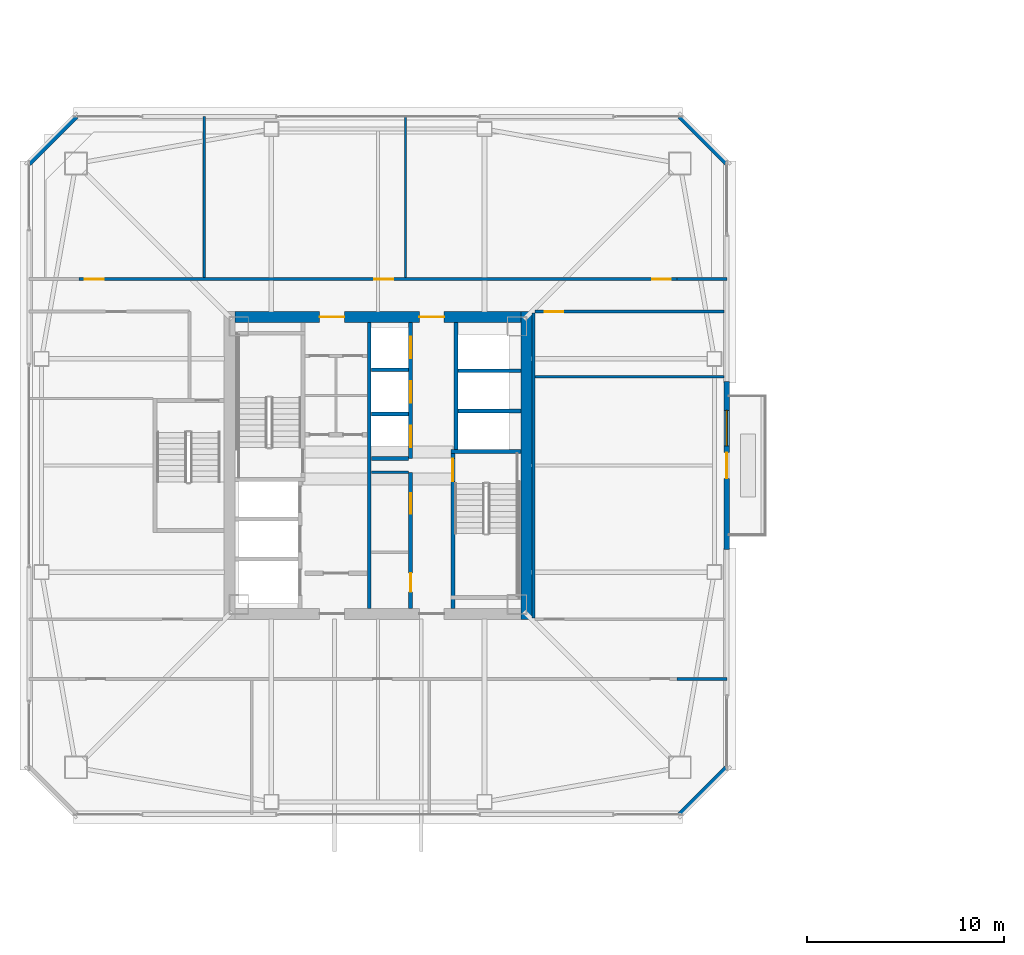
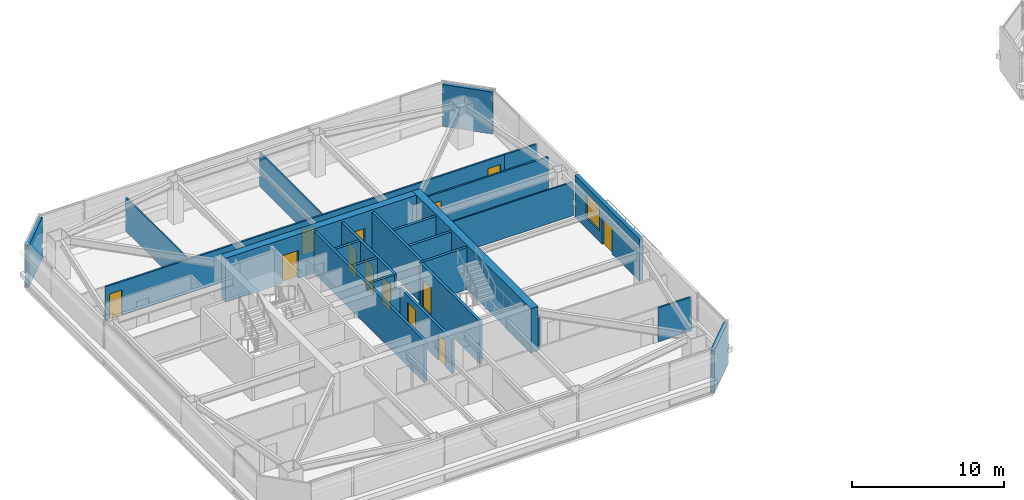
# One storey, part 32 of 41: 26 walls, 13 doors, 1 window, 14 openings.
"""IFC4 building model written with IfcOpenShell, lengths in metres."""

from ifc_helpers import new_model, si_unit, direction, frame, frame_2d, origin, place, context, subcontext, project, spatial, rectangle, extrude, material, layer, layer_set, type_object, element, fill, save


model = new_model("IFC4")

# Units and contexts
model_context = context("Model", 3, precision=1e-05, world=origin(), true_north=direction((0.0, 1.0)))
body_context = subcontext(model_context, "Body", "Model", "MODEL_VIEW")
ifc_project = project(units=[si_unit("LENGTHUNIT", "METRE"), si_unit("AREAUNIT", "SQUARE_METRE"), si_unit("VOLUMEUNIT", "CUBIC_METRE"), si_unit("PLANEANGLEUNIT", "RADIAN"), si_unit("MASSUNIT", "GRAM", prefix="KILO")], contexts=[model_context])

# Site, building, storey
site_placement = place(None, origin())
site = spatial("IfcSite", under=ifc_project, at=site_placement, CompositionType="ELEMENT")
building_placement = place(site_placement, origin())
building = spatial("IfcBuilding", under=site, at=building_placement, Name="Tashvorn Skyway Center", CompositionType="ELEMENT")
storey_placement = place(building_placement, frame((0.0, 0.0, 174.75)))
storey = spatial("IfcBuildingStorey", under=building, at=storey_placement, Name="L47", CompositionType="ELEMENT", Elevation=174.75)

# Wall
ifc_material_1 = material(Name="Concrete C60/75", Category="concrete")
ifc_layer_1 = layer(ifc_material_1, 0.550048828125)
ifc_layer_set_1 = layer_set([ifc_layer_1], Name="Concrete C60/75")
wall_type_1 = type_object("IfcWallType", Name="WALL-CORE-550", PredefinedType="SHEAR", material=ifc_layer_set_1)
wall_1_placement = place(storey_placement, frame((49.52490234375, 39.800048828125, 0.0), z_axis=(0.0, 0.0, 1.0), x_axis=(0.0, -1.0, 0.0)))
element("IfcWall", 1, at=wall_1_placement, inside=storey, type_object=wall_type_1, Name="Tower 1 L47 East Core Shear Wall", PredefinedType="SHEAR", context=body_context, shape_type="SweptSolid", body=[
    extrude(rectangle(XDim=15.60009765625, YDim=0.550048828125, at=frame_2d((7.800048828125, 0.0))), origin(), (0.0, 0.0, 1.0), 3.550048828125),
])

# Wall, openings, doors
wall_2_placement = place(storey_placement, frame((34.75, 39.52490234375, 0.0), z_axis=(0.0, 0.0, 1.0), x_axis=(1.0, 0.0, 0.0)))
wall_2 = element("IfcWall", 2, at=wall_2_placement, inside=storey, type_object=wall_type_1, Name="Tower 1 L47 North Core Shear Wall", PredefinedType="SHEAR", context=body_context, shape_type="SweptSolid", body=[
    extrude(rectangle(XDim=14.5, YDim=0.550048828125, at=frame_2d((7.25, 0.0))), origin(), (0.0, 0.0, 1.0), 3.550048828125),
])
opening_1_placement = place(wall_2_placement, frame((4.300048828125, 0.0, 0.0)))
opening_1 = element("IfcOpeningElement", 3, at=opening_1_placement, cuts=wall_2, Name="Opening D-FFL-1250", PredefinedType="OPENING", context=body_context, shape_type="SweptSolid", body=[
    extrude(rectangle(XDim=1.25, YDim=2.25, at=frame_2d((0.625, 1.125))), frame((0.0, 0.284912109375, 0.0), z_axis=(0.0, -1.0, 0.0), x_axis=(1.0, 0.0, 0.0)), (0.0, 0.0, 1.0), 0.570068359375),
])
opening_2_placement = place(wall_2_placement, frame((9.35009765625, 0.0, 0.0)))
opening_2 = element("IfcOpeningElement", 4, at=opening_2_placement, cuts=wall_2, Name="Opening D-FFL-1250", PredefinedType="OPENING", context=body_context, shape_type="SweptSolid", body=[
    extrude(rectangle(XDim=1.25, YDim=2.25, at=frame_2d((0.625, 1.125))), frame((0.0, 0.284912109375, 0.0), z_axis=(0.0, -1.0, 0.0), x_axis=(1.0, 0.0, 0.0)), (0.0, 0.0, 1.0), 0.570068359375),
])
ifc_material_2 = material(Name="Hollow galvanized steel fire door assembly", Category="steel")
door_type_1 = type_object("IfcDoorType", Name="DOOR-FFL-1250", OperationType="NOTDEFINED", PredefinedType="DOOR", material=ifc_material_2)
door_1_placement = place(opening_1_placement, origin())
door_1 = element("IfcDoor", 5, at=door_1_placement, inside=storey, type_object=door_type_1, Name="Tower 1 L47 Core North Service Lobby Door", OperationType="SINGLE_SWING_LEFT", OverallHeight=2.25, OverallWidth=1.25, PredefinedType="DOOR", context=body_context, shape_type="SweptSolid", body=[
    extrude(rectangle(XDim=1.25, YDim=2.25, at=frame_2d((0.625, 1.125))), frame((0.0, 0.02490234375, 0.0), z_axis=(0.0, -1.0, 0.0), x_axis=(1.0, 0.0, 0.0)), (0.0, 0.0, 1.0), 0.050048828125),
])
fill(opening_1, door_1)
door_2_placement = place(opening_2_placement, origin())
door_2 = element("IfcDoor", 6, at=door_2_placement, inside=storey, type_object=door_type_1, Name="Tower 1 L47 Core North Lift Lobby Door", OperationType="SINGLE_SWING_RIGHT", OverallHeight=2.25, OverallWidth=1.25, PredefinedType="DOOR", context=body_context, shape_type="SweptSolid", body=[
    extrude(rectangle(XDim=1.25, YDim=2.25, at=frame_2d((0.625, 1.125))), frame((0.0, 0.02490234375, 0.0), z_axis=(0.0, -1.0, 0.0), x_axis=(1.0, 0.0, 0.0)), (0.0, 0.0, 1.0), 0.050048828125),
])
fill(opening_2, door_2)

# Wall, openings, door, window
ifc_material_3 = material(Name="Precast concrete C40/50", Category="concrete")
ifc_layer_2 = layer(ifc_material_3, 0.280029296875)
ifc_layer_set_2 = layer_set([ifc_layer_2], Name="Precast concrete C40/50")
wall_type_2 = type_object("IfcWallType", Name="WALL-EXT-280", PredefinedType="SOLIDWALL", material=ifc_layer_set_2)
wall_3_placement = place(storey_placement, frame((59.679931640625, 36.25, 0.0), z_axis=(0.0, 0.0, 1.0), x_axis=(0.0, -1.0, 0.0)))
wall_3 = element("IfcWall", 7, at=wall_3_placement, inside=storey, type_object=wall_type_2, Name="Tower 1 L47 East Terrace Portal Wall", PredefinedType="SOLIDWALL", context=body_context, shape_type="SweptSolid", body=[
    extrude(rectangle(XDim=8.5, YDim=0.280029296875, at=frame_2d((4.25, 0.0))), origin(), (0.0, 0.0, 1.0), 3.3701171875),
])
opening_3_placement = place(wall_3_placement, frame((3.60009765625, 0.0, 0.0)))
opening_3 = element("IfcOpeningElement", 8, at=opening_3_placement, cuts=wall_3, Name="Opening D-TER-1300", PredefinedType="OPENING", context=body_context, shape_type="SweptSolid", body=[
    extrude(rectangle(XDim=1.300048828125, YDim=2.14990234375, at=frame_2d((0.64990234375, 1.074951171875))), frame((0.0, 0.14990234375, 0.0), z_axis=(0.0, -1.0, 0.0), x_axis=(1.0, 0.0, 0.0)), (0.0, 0.0, 1.0), 0.300048828125),
])
opening_4_placement = place(wall_3_placement, frame((1.4599609375, 0.0, 0.85009765625)))
opening_4 = element("IfcOpeningElement", 9, at=opening_4_placement, cuts=wall_3, Name="Opening WIN-1800", PredefinedType="OPENING", context=body_context, shape_type="SweptSolid", body=[
    extrude(rectangle(XDim=1.800048828125, YDim=1.919921875, at=frame_2d((0.89990234375, 0.9599609375))), frame((0.0, 0.14990234375, 0.0), z_axis=(0.0, -1.0, 0.0), x_axis=(1.0, 0.0, 0.0)), (0.0, 0.0, 1.0), 0.300048828125),
])
ifc_material_4 = material(Name="Thermally broken bronze-anodized aluminium 6063-T6", Category="aluminium")
door_type_2 = type_object("IfcDoorType", Name="DOOR-TERR-1300", OperationType="NOTDEFINED", PredefinedType="DOOR", material=ifc_material_4)
door_3_placement = place(opening_3_placement, origin())
door_3 = element("IfcDoor", 10, at=door_3_placement, inside=storey, type_object=door_type_2, Name="Tower 1 L47 Terrace Access Door", OperationType="SINGLE_SWING_LEFT", OverallHeight=2.14990234375, OverallWidth=1.300048828125, PredefinedType="DOOR", context=body_context, shape_type="SweptSolid", body=[
    extrude(rectangle(XDim=1.300048828125, YDim=2.14990234375, at=frame_2d((0.64990234375, 1.074951171875))), frame((0.0, 0.02490234375, 0.0), z_axis=(0.0, -1.0, 0.0), x_axis=(1.0, 0.0, 0.0)), (0.0, 0.0, 1.0), 0.050048828125),
])
fill(opening_3, door_3)
ifc_material_5 = material(Name="Low-E solar-control double insulating safety glass", Category="glass")
window_type = type_object("IfcWindowType", Name="WIN-TERR-1800", PartitioningType="SINGLE_PANEL", PredefinedType="WINDOW", material=ifc_material_5)
window_placement = place(opening_4_placement, origin())
window = element("IfcWindow", 11, at=window_placement, inside=storey, type_object=window_type, Name="Tower 1 L47 Terrace Window", OverallHeight=1.919921875, OverallWidth=1.800048828125, PartitioningType="SINGLE_PANEL", PredefinedType="WINDOW", context=body_context, shape_type="SweptSolid", body=[
    extrude(rectangle(XDim=1.800048828125, YDim=1.919921875, at=frame_2d((0.89990234375, 0.9599609375))), frame((0.0, 0.030029296875, 0.0), z_axis=(0.0, -1.0, 0.0), x_axis=(1.0, 0.0, 0.0)), (0.0, 0.0, 1.0), 0.06005859375),
])
fill(opening_4, window)

# Walls
for number, where, z_axis, x_axis, name in (
    (12, (24.300048828125, 47.300048828125, 0.0), (0.0, 0.0, 1.0), (0.707106781187, 0.707106781187, 0.0), "Tower 1 L47 NW Precast Chamfer Wall"),
    (13, (57.300048828125, 49.699951171875, 0.0), (0.0, 0.0, 1.0), (0.707106781187, -0.707106781187, 0.0), "Tower 1 L47 NE Precast Chamfer Wall"),
    (14, (59.699951171875, 16.699951171875, 0.0), (0.0, 0.0, 1.0), (-0.707106781187, -0.707106781187, 0.0), "Tower 1 L47 SE Precast Chamfer Wall"),
):
    element("IfcWall", number, at=place(storey_placement, frame(where, z_axis=z_axis, x_axis=x_axis)), inside=storey, type_object=wall_type_2, Name=name, PredefinedType="SOLIDWALL", context=body_context, shape_type="SweptSolid", body=[
        extrude(rectangle(XDim=3.39404296875, YDim=0.280029296875, at=frame_2d((1.697021484375, 0.0))), origin(), (0.0, 0.0, 1.0), 3.3701171875),
    ])
ifc_material_6 = material(Name="Gypsum board on cold-formed steel stud framing", Category="steel")
ifc_layer_3 = layer(ifc_material_6, 0.110107421875)
ifc_layer_set_3 = layer_set([ifc_layer_3], Name="Gypsum board on cold-formed steel stud framing")
wall_type_3 = type_object("IfcWallType", Name="WALL-PART-110", PredefinedType="PARTITIONING", material=ifc_layer_set_3)
for number, where, z_axis, x_axis, name in (
    (15, (33.199951171875, 41.530029296875, 0.0), (0.0, 0.0, 1.0), (0.0, 1.0, 0.0), "Tower 1 L47 North Suite Partition 1"),
    (16, (43.39990234375, 41.530029296875, 0.0), (0.0, 0.0, 1.0), (0.0, 1.0, 0.0), "Tower 1 L47 North Suite Partition 2"),
):
    element("IfcWall", number, at=place(storey_placement, frame(where, z_axis=z_axis, x_axis=x_axis)), inside=storey, type_object=wall_type_3, Name=name, PredefinedType="PARTITIONING", context=body_context, shape_type="SweptSolid", body=[
        extrude(rectangle(XDim=8.14990234375, YDim=0.110107421875, at=frame_2d((4.074951171875, 0.0))), origin(), (0.0, 0.0, 1.0), 2.722900390625),
    ])
wall_4_placement = place(storey_placement, frame((49.9599609375, 36.5, 0.0), z_axis=(0.0, 0.0, 1.0), x_axis=(1.0, 0.0, 0.0)))
element("IfcWall", 17, at=wall_4_placement, inside=storey, type_object=wall_type_3, Name="Tower 1 L47 East Mid Partition", PredefinedType="PARTITIONING", context=body_context, shape_type="SweptSolid", body=[
    extrude(rectangle(XDim=9.570068359375, YDim=0.110107421875, at=frame_2d((4.78515625, 0.0))), origin(), (0.0, 0.0, 1.0), 2.722900390625),
])

# Wall, openings, doors
ifc_layer_4 = layer(ifc_material_6, 0.135009765625)
ifc_layer_set_4 = layer_set([ifc_layer_4], Name="Gypsum board on cold-formed steel stud framing")
wall_type_4 = type_object("IfcWallType", Name="WALL-PART-135", PredefinedType="PARTITIONING", material=ifc_layer_set_4)
wall_5_placement = place(storey_placement, frame((26.85009765625, 41.449951171875, 0.0), z_axis=(0.0, 0.0, 1.0), x_axis=(1.0, 0.0, 0.0)))
wall_5 = element("IfcWall", 18, at=wall_5_placement, inside=storey, type_object=wall_type_4, Name="Tower 1 L47 North Suite Wall", PredefinedType="PARTITIONING", context=body_context, shape_type="SweptSolid", body=[
    extrude(rectangle(XDim=30.2998046875, YDim=0.135009765625, at=frame_2d((15.14990234375, 0.0))), origin(), (0.0, 0.0, 1.0), 2.722900390625),
])
opening_5_placement = place(wall_5_placement, frame((0.300048828125, 0.0, 0.0)))
opening_5 = element("IfcOpeningElement", 19, at=opening_5_placement, cuts=wall_5, Name="Opening D-INT-950", PredefinedType="OPENING", context=body_context, shape_type="SweptSolid", body=[
    extrude(rectangle(XDim=0.949951171875, YDim=2.050048828125, at=frame_2d((0.47509765625, 1.02490234375))), frame((0.0, 0.077392578125, 0.0), z_axis=(0.0, -1.0, 0.0), x_axis=(1.0, 0.0, 0.0)), (0.0, 0.0, 1.0), 0.155029296875),
])
opening_6_placement = place(wall_5_placement, frame((14.962646484375, 0.0, 0.0)))
opening_6 = element("IfcOpeningElement", 20, at=opening_6_placement, cuts=wall_5, Name="Opening D-INT-950", PredefinedType="OPENING", context=body_context, shape_type="SweptSolid", body=[
    extrude(rectangle(XDim=0.949951171875, YDim=2.050048828125, at=frame_2d((0.47509765625, 1.02490234375))), frame((0.0, 0.077392578125, 0.0), z_axis=(0.0, -1.0, 0.0), x_axis=(1.0, 0.0, 0.0)), (0.0, 0.0, 1.0), 0.155029296875),
])
opening_7_placement = place(wall_5_placement, frame((29.050048828125, 0.0, 0.0)))
opening_7 = element("IfcOpeningElement", 21, at=opening_7_placement, cuts=wall_5, Name="Opening D-INT-950", PredefinedType="OPENING", context=body_context, shape_type="SweptSolid", body=[
    extrude(rectangle(XDim=0.949951171875, YDim=2.050048828125, at=frame_2d((0.47509765625, 1.02490234375))), frame((0.0, 0.077392578125, 0.0), z_axis=(0.0, -1.0, 0.0), x_axis=(1.0, 0.0, 0.0)), (0.0, 0.0, 1.0), 0.155029296875),
])
ifc_material_7 = material(Name="Solid-core architectural oak veneer door")
door_type_3 = type_object("IfcDoorType", Name="DOOR-INT-950", OperationType="NOTDEFINED", PredefinedType="DOOR", material=ifc_material_7)
door_4_placement = place(opening_5_placement, origin())
door_4 = element("IfcDoor", 22, at=door_4_placement, inside=storey, type_object=door_type_3, Name="Tower 1 L47 Executive Suite Door", OperationType="SINGLE_SWING_RIGHT", OverallHeight=2.050048828125, OverallWidth=0.949951171875, PredefinedType="DOOR", context=body_context, shape_type="SweptSolid", body=[
    extrude(rectangle(XDim=0.949951171875, YDim=2.050048828125, at=frame_2d((0.47509765625, 1.02490234375))), frame((0.0, 0.02490234375, 0.0), z_axis=(0.0, -1.0, 0.0), x_axis=(1.0, 0.0, 0.0)), (0.0, 0.0, 1.0), 0.050048828125),
])
fill(opening_5, door_4)
door_5_placement = place(opening_6_placement, origin())
door_5 = element("IfcDoor", 23, at=door_5_placement, inside=storey, type_object=door_type_3, Name="Tower 1 L47 Executive Suite Door", OperationType="SINGLE_SWING_LEFT", OverallHeight=2.050048828125, OverallWidth=0.949951171875, PredefinedType="DOOR", context=body_context, shape_type="SweptSolid", body=[
    extrude(rectangle(XDim=0.949951171875, YDim=2.050048828125, at=frame_2d((0.47509765625, 1.02490234375))), frame((0.0, 0.02490234375, 0.0), z_axis=(0.0, -1.0, 0.0), x_axis=(1.0, 0.0, 0.0)), (0.0, 0.0, 1.0), 0.050048828125),
])
fill(opening_6, door_5)
door_6_placement = place(opening_7_placement, origin())
door_6 = element("IfcDoor", 24, at=door_6_placement, inside=storey, type_object=door_type_3, Name="Tower 1 L47 Corporate Office Door", OperationType="SINGLE_SWING_RIGHT", OverallHeight=2.050048828125, OverallWidth=0.949951171875, PredefinedType="DOOR", context=body_context, shape_type="SweptSolid", body=[
    extrude(rectangle(XDim=0.949951171875, YDim=2.050048828125, at=frame_2d((0.47509765625, 1.02490234375))), frame((0.0, 0.02490234375, 0.0), z_axis=(0.0, -1.0, 0.0), x_axis=(1.0, 0.0, 0.0)), (0.0, 0.0, 1.0), 0.050048828125),
])
fill(opening_7, door_6)

# Walls
for number, where, z_axis, x_axis, name in (
    (25, (57.14990234375, 41.449951171875, 0.0), (0.0, 0.0, 1.0), (1.0, 0.0, 0.0), "Tower 1 L47 North-East Suite South Wall"),
    (26, (57.14990234375, 21.179931640625, 0.0), (0.0, 0.0, 1.0), (1.0, 0.0, 0.0), "Tower 1 L47 South-East Suite North Wall"),
):
    element("IfcWall", number, at=place(storey_placement, frame(where, z_axis=z_axis, x_axis=x_axis)), inside=storey, type_object=wall_type_4, Name=name, PredefinedType="PARTITIONING", context=body_context, shape_type="SweptSolid", body=[
        extrude(rectangle(XDim=2.530029296875, YDim=0.135009765625, at=frame_2d((1.26513671875, 0.0))), origin(), (0.0, 0.0, 1.0), 2.722900390625),
    ])
wall_6_placement = place(storey_placement, frame((49.8798828125, 39.719970703125, 0.0), z_axis=(0.0, 0.0, 1.0), x_axis=(0.0, -1.0, 0.0)))
element("IfcWall", 27, at=wall_6_placement, inside=storey, type_object=wall_type_4, Name="Tower 1 L47 East Inner Suite Wall", PredefinedType="PARTITIONING", context=body_context, shape_type="SweptSolid", body=[
    extrude(rectangle(XDim=15.43994140625, YDim=0.135009765625, at=frame_2d((7.719970703125, 0.0))), origin(), (0.0, 0.0, 1.0), 2.722900390625),
])

# Wall, opening, door
wall_7_placement = place(storey_placement, frame((59.530029296875, 39.800048828125, 0.0), z_axis=(0.0, 0.0, 1.0), x_axis=(-1.0, 0.0, 0.0)))
wall_7 = element("IfcWall", 28, at=wall_7_placement, inside=storey, type_object=wall_type_4, Name="Tower 1 L47 East Suite North Wall", PredefinedType="PARTITIONING", context=body_context, shape_type="SweptSolid", body=[
    extrude(rectangle(XDim=9.570068359375, YDim=0.135009765625, at=frame_2d((4.78515625, 0.0))), origin(), (0.0, 0.0, 1.0), 2.722900390625),
])
opening_8_placement = place(wall_7_placement, frame((8.1298828125, 0.0, 0.0)))
opening_8 = element("IfcOpeningElement", 29, at=opening_8_placement, cuts=wall_7, Name="Opening D-INT-950", PredefinedType="OPENING", context=body_context, shape_type="SweptSolid", body=[
    extrude(rectangle(XDim=0.949951171875, YDim=2.050048828125, at=frame_2d((0.47509765625, 1.02490234375))), frame((0.0, 0.077392578125, 0.0), z_axis=(0.0, -1.0, 0.0), x_axis=(1.0, 0.0, 0.0)), (0.0, 0.0, 1.0), 0.155029296875),
])
door_7_placement = place(opening_8_placement, origin())
door_7 = element("IfcDoor", 30, at=door_7_placement, inside=storey, type_object=door_type_3, Name="Tower 1 L47 Executive Suite Door", OperationType="SINGLE_SWING_RIGHT", OverallHeight=2.050048828125, OverallWidth=0.949951171875, PredefinedType="DOOR", context=body_context, shape_type="SweptSolid", body=[
    extrude(rectangle(XDim=0.949951171875, YDim=2.050048828125, at=frame_2d((0.47509765625, 1.02490234375))), frame((0.0, 0.02490234375, 0.0), z_axis=(0.0, -1.0, 0.0), x_axis=(1.0, 0.0, 0.0)), (0.0, 0.0, 1.0), 0.050048828125),
])
fill(opening_8, door_7)

# Walls
ifc_layer_5 = layer(ifc_material_6, 0.135009765625)
ifc_layer_set_5 = layer_set([ifc_layer_5], Name="Gypsum board on cold-formed steel stud framing")
wall_type_5 = type_object("IfcWallType", Name="WALL-RATED-135", PredefinedType="PARTITIONING", material=ifc_layer_set_5)
wall_8_placement = place(storey_placement, frame((41.669921875, 31.64990234375, 0.0), z_axis=(0.0, 0.0, 1.0), x_axis=(1.0, 0.0, 0.0)))
element("IfcWall", 31, at=wall_8_placement, inside=storey, type_object=wall_type_5, Name="Tower 1 L47 Core Room Partition", PredefinedType="PARTITIONING", context=body_context, shape_type="SweptSolid", body=[
    extrude(rectangle(XDim=1.880126953125, YDim=0.135009765625, at=frame_2d((0.93994140625, 0.0))), origin(), (0.0, 0.0, 1.0), 2.722900390625),
])
ifc_material_8 = material(Name="Concrete C40/50", Category="concrete")
ifc_layer_6 = layer(ifc_material_8, 0.199951171875)
ifc_layer_set_6 = layer_set([ifc_layer_6], Name="Concrete C40/50")
wall_type_6 = type_object("IfcWallType", Name="WALL-SHAFT-200", PredefinedType="SOLIDWALL", material=ifc_layer_set_6)
for number, where, z_axis, x_axis, name in (
    (32, (46.050048828125, 34.75, 0.0), (0.0, 0.0, 1.0), (1.0, 0.0, 0.0), "Tower 1 L47 High-Rise Shaft Divider"),
    (33, (46.050048828125, 36.800048828125, 0.0), (0.0, 0.0, 1.0), (1.0, 0.0, 0.0), "Tower 1 L47 High-Rise Shaft Divider"),
):
    element("IfcWall", number, at=place(storey_placement, frame(where, z_axis=z_axis, x_axis=x_axis)), inside=storey, type_object=wall_type_6, Name=name, PredefinedType="SOLIDWALL", context=body_context, shape_type="SweptSolid", body=[
        extrude(rectangle(XDim=3.199951171875, YDim=0.199951171875, at=frame_2d((1.60009765625, 0.0))), origin(), (0.0, 0.0, 1.0), 3.3701171875),
    ])

# Wall, openings, doors
wall_9_placement = place(storey_placement, frame((43.64990234375, 24.75, 0.0), z_axis=(0.0, 0.0, 1.0), x_axis=(0.0, 1.0, 0.0)))
wall_9 = element("IfcWall", 34, at=wall_9_placement, inside=storey, type_object=wall_type_6, Name="Tower 1 L47 Low-Rise Core Wall", PredefinedType="SOLIDWALL", context=body_context, shape_type="SweptSolid", body=[
    extrude(rectangle(XDim=6.89990234375, YDim=0.199951171875, at=frame_2d((3.449951171875, 0.0))), origin(), (0.0, 0.0, 1.0), 2.722900390625),
])
opening_9_placement = place(wall_9_placement, frame((0.85009765625, 0.0, 0.0)))
opening_9 = element("IfcOpeningElement", 35, at=opening_9_placement, cuts=wall_9, Name="Opening D-RT-950", PredefinedType="OPENING", context=body_context, shape_type="SweptSolid", body=[
    extrude(rectangle(XDim=0.949951171875, YDim=2.050048828125, at=frame_2d((0.47509765625, 1.02490234375))), frame((0.0, 0.10986328125, 0.0), z_axis=(0.0, -1.0, 0.0), x_axis=(1.0, 0.0, 0.0)), (0.0, 0.0, 1.0), 0.219970703125),
])
opening_10_placement = place(wall_9_placement, frame((4.800048828125, 0.0, 0.0)))
opening_10 = element("IfcOpeningElement", 36, at=opening_10_placement, cuts=wall_9, Name="Opening D-RT-1050", PredefinedType="OPENING", context=body_context, shape_type="SweptSolid", body=[
    extrude(rectangle(XDim=1.050048828125, YDim=2.199951171875, at=frame_2d((0.52490234375, 1.10009765625))), frame((0.0, 0.10986328125, 0.0), z_axis=(0.0, -1.0, 0.0), x_axis=(1.0, 0.0, 0.0)), (0.0, 0.0, 1.0), 0.219970703125),
])
door_type_4 = type_object("IfcDoorType", Name="DOOR-RATED-1050", OperationType="NOTDEFINED", PredefinedType="DOOR", material=ifc_material_2)
door_8_placement = place(opening_10_placement, origin())
door_8 = element("IfcDoor", 37, at=door_8_placement, inside=storey, type_object=door_type_4, Name="Tower 1 L47 Freed Core Room Door", OperationType="SINGLE_SWING_RIGHT", OverallHeight=2.199951171875, OverallWidth=1.050048828125, PredefinedType="DOOR", context=body_context, shape_type="SweptSolid", body=[
    extrude(rectangle(XDim=1.050048828125, YDim=2.199951171875, at=frame_2d((0.52490234375, 1.10009765625))), frame((0.0, 0.02490234375, 0.0), z_axis=(0.0, -1.0, 0.0), x_axis=(1.0, 0.0, 0.0)), (0.0, 0.0, 1.0), 0.050048828125),
])
fill(opening_10, door_8)
door_type_5 = type_object("IfcDoorType", Name="DOOR-RATED-950", OperationType="NOTDEFINED", PredefinedType="DOOR", material=ifc_material_2)
door_9_placement = place(opening_9_placement, origin())
door_9 = element("IfcDoor", 38, at=door_9_placement, inside=storey, type_object=door_type_5, Name="Tower 1 L47 Core Print Room Door", OperationType="SINGLE_SWING_LEFT", OverallHeight=2.050048828125, OverallWidth=0.949951171875, PredefinedType="DOOR", context=body_context, shape_type="SweptSolid", body=[
    extrude(rectangle(XDim=0.949951171875, YDim=2.050048828125, at=frame_2d((0.47509765625, 1.02490234375))), frame((0.0, 0.02490234375, 0.0), z_axis=(0.0, -1.0, 0.0), x_axis=(1.0, 0.0, 0.0)), (0.0, 0.0, 1.0), 0.050048828125),
])
fill(opening_9, door_9)

wall_10_placement = place(storey_placement, frame((43.64990234375, 32.35009765625, 0.0), z_axis=(0.0, 0.0, 1.0), x_axis=(0.0, 1.0, 0.0)))
wall_10 = element("IfcWall", 39, at=wall_10_placement, inside=storey, type_object=wall_type_6, Name="Tower 1 L47 Mid-Rise Core Wall", PredefinedType="SOLIDWALL", context=body_context, shape_type="SweptSolid", body=[
    extrude(rectangle(XDim=6.89990234375, YDim=0.199951171875, at=frame_2d((3.449951171875, 0.0))), origin(), (0.0, 0.0, 1.0), 3.3701171875),
])
opening_11_placement = place(wall_10_placement, frame((0.574951171875, 0.0, 0.0)))
opening_11 = element("IfcOpeningElement", 40, at=opening_11_placement, cuts=wall_10, Name="Opening LD-MR-T1-1-L47", PredefinedType="OPENING", context=body_context, shape_type="SweptSolid", body=[
    extrude(rectangle(XDim=1.10009765625, YDim=2.199951171875, at=frame_2d((0.550048828125, 1.10009765625))), frame((0.0, 0.10986328125, 0.0), z_axis=(0.0, -1.0, 0.0), x_axis=(1.0, 0.0, 0.0)), (0.0, 0.0, 1.0), 0.219970703125),
])
opening_12_placement = place(wall_10_placement, frame((2.824951171875, 0.0, 0.0)))
opening_12 = element("IfcOpeningElement", 41, at=opening_12_placement, cuts=wall_10, Name="Opening LD-MR-T1-2-L47", PredefinedType="OPENING", context=body_context, shape_type="SweptSolid", body=[
    extrude(rectangle(XDim=1.10009765625, YDim=2.199951171875, at=frame_2d((0.550048828125, 1.10009765625))), frame((0.0, 0.10986328125, 0.0), z_axis=(0.0, -1.0, 0.0), x_axis=(1.0, 0.0, 0.0)), (0.0, 0.0, 1.0), 0.219970703125),
])
opening_13_placement = place(wall_10_placement, frame((5.074951171875, 0.0, 0.0)))
opening_13 = element("IfcOpeningElement", 42, at=opening_13_placement, cuts=wall_10, Name="Opening LD-MR-T1-3-L47", PredefinedType="OPENING", context=body_context, shape_type="SweptSolid", body=[
    extrude(rectangle(XDim=1.10009765625, YDim=2.199951171875, at=frame_2d((0.550048828125, 1.10009765625))), frame((0.0, 0.10986328125, 0.0), z_axis=(0.0, -1.0, 0.0), x_axis=(1.0, 0.0, 0.0)), (0.0, 0.0, 1.0), 0.219970703125),
])
ifc_material_9 = material(Name="Stainless steel landing door", Category="steel")
door_type_6 = type_object("IfcDoorType", Name="DOOR-LIFT-1100", OperationType="SLIDING_TO_LEFT", PredefinedType="DOOR", material=ifc_material_9)
door_10_placement = place(opening_11_placement, origin())
door_10 = element("IfcDoor", 43, at=door_10_placement, inside=storey, type_object=door_type_6, Name="Lift MR-T1-1 L47 Landing Door", OperationType="SLIDING_TO_LEFT", OverallHeight=2.199951171875, OverallWidth=1.10009765625, PredefinedType="DOOR", context=body_context, shape_type="SweptSolid", body=[
    extrude(rectangle(XDim=1.10009765625, YDim=2.199951171875, at=frame_2d((0.550048828125, 1.10009765625))), frame((0.0, 0.02490234375, 0.0), z_axis=(0.0, -1.0, 0.0), x_axis=(1.0, 0.0, 0.0)), (0.0, 0.0, 1.0), 0.050048828125),
])
fill(opening_11, door_10)
door_11_placement = place(opening_12_placement, origin())
door_11 = element("IfcDoor", 44, at=door_11_placement, inside=storey, type_object=door_type_6, Name="Lift MR-T1-2 L47 Landing Door", OperationType="SLIDING_TO_LEFT", OverallHeight=2.199951171875, OverallWidth=1.10009765625, PredefinedType="DOOR", context=body_context, shape_type="SweptSolid", body=[
    extrude(rectangle(XDim=1.10009765625, YDim=2.199951171875, at=frame_2d((0.550048828125, 1.10009765625))), frame((0.0, 0.02490234375, 0.0), z_axis=(0.0, -1.0, 0.0), x_axis=(1.0, 0.0, 0.0)), (0.0, 0.0, 1.0), 0.050048828125),
])
fill(opening_12, door_11)
door_12_placement = place(opening_13_placement, origin())
door_12 = element("IfcDoor", 45, at=door_12_placement, inside=storey, type_object=door_type_6, Name="Lift MR-T1-3 L47 Landing Door", OperationType="SLIDING_TO_LEFT", OverallHeight=2.199951171875, OverallWidth=1.10009765625, PredefinedType="DOOR", context=body_context, shape_type="SweptSolid", body=[
    extrude(rectangle(XDim=1.10009765625, YDim=2.199951171875, at=frame_2d((0.550048828125, 1.10009765625))), frame((0.0, 0.02490234375, 0.0), z_axis=(0.0, -1.0, 0.0), x_axis=(1.0, 0.0, 0.0)), (0.0, 0.0, 1.0), 0.050048828125),
])
fill(opening_13, door_12)

# Walls
for number, where, z_axis, x_axis, name in (
    (46, (41.669921875, 32.35009765625, 0.0), (0.0, 0.0, 1.0), (1.0, 0.0, 0.0), "Tower 1 L47 Mid-Rise Shaft Divider"),
    (47, (41.669921875, 34.60009765625, 0.0), (0.0, 0.0, 1.0), (1.0, 0.0, 0.0), "Tower 1 L47 Mid-Rise Shaft Divider"),
    (48, (41.669921875, 36.85009765625, 0.0), (0.0, 0.0, 1.0), (1.0, 0.0, 0.0), "Tower 1 L47 Mid-Rise Shaft Divider"),
):
    element("IfcWall", number, at=place(storey_placement, frame(where, z_axis=z_axis, x_axis=x_axis)), inside=storey, type_object=wall_type_6, Name=name, PredefinedType="SOLIDWALL", context=body_context, shape_type="SweptSolid", body=[
        extrude(rectangle(XDim=1.880126953125, YDim=0.199951171875, at=frame_2d((0.93994140625, 0.0))), origin(), (0.0, 0.0, 1.0), 3.3701171875),
    ])

# Wall, opening, door
ifc_layer_7 = layer(ifc_material_8, 0.199951171875)
ifc_layer_set_7 = layer_set([ifc_layer_7], Name="Concrete C40/50")
wall_type_7 = type_object("IfcWallType", Name="WALL-STSHF-200", PredefinedType="SHEAR", material=ifc_layer_set_7)
wall_11_placement = place(storey_placement, frame((45.800048828125, 32.800048828125, 0.0), z_axis=(0.0, 0.0, 1.0), x_axis=(0.0, -1.0, 0.0)))
wall_11 = element("IfcWall", 49, at=wall_11_placement, inside=storey, type_object=wall_type_7, Name="Tower 1 L47 Stair 2 Enclosure Wall", PredefinedType="SHEAR", context=body_context, shape_type="SweptSolid", body=[
    extrude(rectangle(XDim=8.050048828125, YDim=0.199951171875, at=frame_2d((4.02490234375, 0.0))), origin(), (0.0, 0.0, 1.0), 3.3701171875),
])
opening_14_placement = place(wall_11_placement, frame((0.449951171875, 0.0, 0.0)))
opening_14 = element("IfcOpeningElement", 50, at=opening_14_placement, cuts=wall_11, Name="Opening D-ST-1150", PredefinedType="OPENING", context=body_context, shape_type="SweptSolid", body=[
    extrude(rectangle(XDim=1.14990234375, YDim=2.199951171875, at=frame_2d((0.574951171875, 1.10009765625))), frame((0.0, 0.10986328125, 0.0), z_axis=(0.0, -1.0, 0.0), x_axis=(1.0, 0.0, 0.0)), (0.0, 0.0, 1.0), 0.219970703125),
])
door_type_7 = type_object("IfcDoorType", Name="DOOR-STAIR-1150", OperationType="NOTDEFINED", PredefinedType="DOOR", material=ifc_material_2)
door_13_placement = place(opening_14_placement, origin())
door_13 = element("IfcDoor", 51, at=door_13_placement, inside=storey, type_object=door_type_7, Name="Tower 1 L47 Exit Stair 2 Door", OperationType="SINGLE_SWING_RIGHT", OverallHeight=2.199951171875, OverallWidth=1.14990234375, PredefinedType="DOOR", context=body_context, shape_type="SweptSolid", body=[
    extrude(rectangle(XDim=1.14990234375, YDim=2.199951171875, at=frame_2d((0.574951171875, 1.10009765625))), frame((0.0, 0.02490234375, 0.0), z_axis=(0.0, -1.0, 0.0), x_axis=(1.0, 0.0, 0.0)), (0.0, 0.0, 1.0), 0.050048828125),
])
fill(opening_14, door_13)

# Walls
wall_12_placement = place(storey_placement, frame((45.699951171875, 32.699951171875, 0.0), z_axis=(0.0, 0.0, 1.0), x_axis=(1.0, 0.0, 0.0)))
element("IfcWall", 52, at=wall_12_placement, inside=storey, type_object=wall_type_7, Name="Tower 1 L47 Stair 2 North Wall", PredefinedType="SHEAR", context=body_context, shape_type="SweptSolid", body=[
    extrude(rectangle(XDim=3.550048828125, YDim=0.199951171875, at=frame_2d((1.77490234375, 0.0))), origin(), (0.0, 0.0, 1.0), 3.3701171875),
])
wall_13_placement = place(storey_placement, frame((41.56005859375, 24.75, 0.0), z_axis=(0.0, 0.0, 1.0), x_axis=(0.0, 1.0, 0.0)))
element("IfcWall", 53, at=wall_13_placement, inside=storey, type_object=wall_type_7, Name="Tower 1 L47 Firefighting Lobby East Smoke Barrier", PredefinedType="SHEAR", context=body_context, shape_type="SweptSolid", body=[
    extrude(rectangle(XDim=14.5, YDim=0.199951171875, at=frame_2d((7.25, 0.0))), origin(), (0.0, 0.0, 1.0), 3.3701171875),
])
wall_14_placement = place(storey_placement, frame((45.949951171875, 39.25, 0.0), z_axis=(0.0, 0.0, 1.0), x_axis=(0.0, -1.0, 0.0)))
element("IfcWall", 54, at=wall_14_placement, inside=storey, type_object=wall_type_7, Name="Tower 1 L47 High-Rise Lift Shaft Front Wall", PredefinedType="SHEAR", context=body_context, shape_type="SweptSolid", body=[
    extrude(rectangle(XDim=6.449951171875, YDim=0.199951171875, at=frame_2d((3.22509765625, 0.0))), origin(), (0.0, 0.0, 1.0), 3.3701171875),
])

save(model, "model.ifc")
